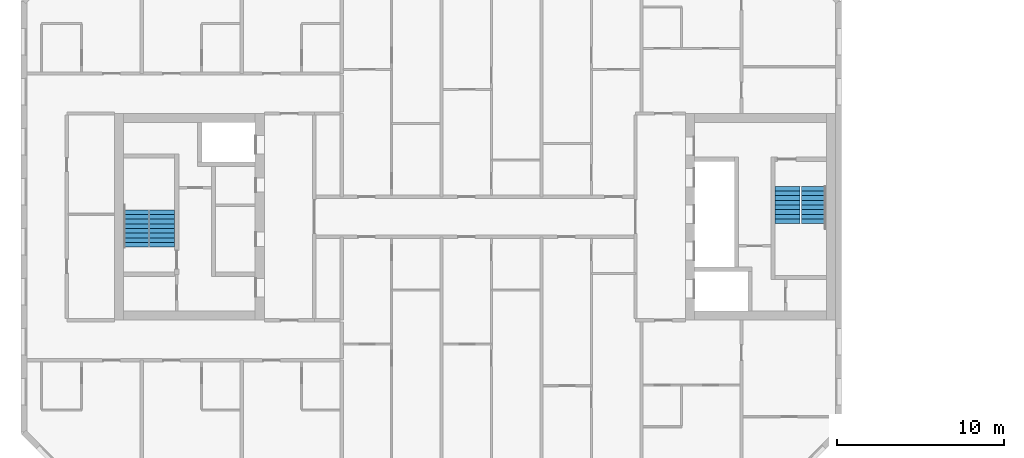
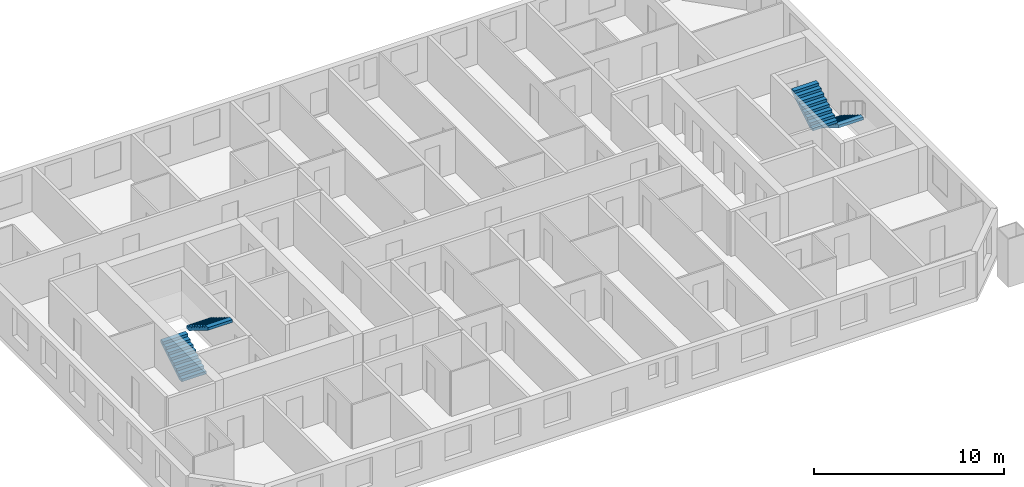
# One storey, part 15 of 16: 4 stair flights, 2 elements without a shape of their own.
"""IFC4 building model written with IfcOpenShell, lengths in metres."""

import ifcopenshell
import ifcopenshell.guid

model = None  # the IFC model being written
_history = None  # IfcOwnerHistory: only IFC2X3 demands one
_inside = {}  # id of a spatial element -> (the spatial element, [elements in it])
_under = {}  # id of a project, library or spatial element -> (it, [spatial elements below it])
_declared = {}  # id of a project -> (the project, [libraries it declares])
_typed = {}  # id of a type object -> (the type object, [elements of that type])
_made_of = {}  # id of a material, layer set ... -> (it, [elements and type objects made of it])


def new_model(schema):
    """Start an empty IFC model of exactly this schema.

    Asked for "IFC4X3", IfcOpenShell would pick the latest addendum, in which some entities
    have other attributes; the version numbers below select the first issue.
    IFC2X3 requires an IfcOwnerHistory on every rooted entity: one is made here for all.
    """
    global model, _history
    if schema == "IFC4X3":
        model = ifcopenshell.file(schema_version=(4, 3, 0, 0))
    else:
        model = ifcopenshell.file(schema=schema)
    _inside.clear()
    _under.clear()
    _declared.clear()
    _typed.clear()
    _made_of.clear()
    _history = None
    if model.schema == "IFC2X3":
        org = make("IfcOrganization", Name="unknown")
        user = make(
            "IfcPersonAndOrganization",
            ThePerson=make("IfcPerson", FamilyName="unknown"),
            TheOrganization=org,
        )
        app = make(
            "IfcApplication",
            ApplicationDeveloper=org,
            Version="unknown",
            ApplicationFullName="unknown",
            ApplicationIdentifier="unknown",
        )
        _history = make(
            "IfcOwnerHistory",
            OwningUser=user,
            OwningApplication=app,
            ChangeAction="ADDED",
            CreationDate=0,
        )
    return model


def make(cls, **values):
    """One entity of the class cls with the attributes given. An attribute that is None is left unset."""
    return model.create_entity(
        cls, **{name: value for name, value in values.items() if value is not None}
    )


def rooted(cls, **values):
    """An entity with a GlobalId (a new one), such as an element, a storey or a relation."""
    return make(cls, GlobalId=ifcopenshell.guid.new(), OwnerHistory=_history, **values)


def si_unit(unit_type, name, prefix=None):
    """IfcSIUnit, for example si_unit("LENGTHUNIT", "METRE", prefix="MILLI")."""
    return make("IfcSIUnit", UnitType=unit_type, Prefix=prefix, Name=name)


def assignment(units):
    """IfcUnitAssignment: the units of a project."""
    return None if units is None else make("IfcUnitAssignment", Units=units)


def point(xyz):
    """IfcCartesianPoint."""
    return None if xyz is None else make("IfcCartesianPoint", Coordinates=xyz)


def direction(xyz):
    """IfcDirection."""
    return None if xyz is None else make("IfcDirection", DirectionRatios=xyz)


def frame(location, z_axis=None, x_axis=None):
    """IfcAxis2Placement3D, a coordinate frame: its origin and axes. An axis left out is left unset."""
    return make(
        "IfcAxis2Placement3D",
        Location=point(location),
        Axis=direction(z_axis),
        RefDirection=direction(x_axis),
    )


def origin():
    """The frame at (0, 0, 0) with its axes left unset."""
    return frame((0.0, 0.0, 0.0))


def place(relative_to, where):
    """IfcLocalPlacement: puts the frame where relative to a parent placement (None: the world)."""
    return make(
        "IfcLocalPlacement", PlacementRelTo=relative_to, RelativePlacement=where
    )


def context(
    kind, dimensions, precision=None, world=None, true_north=None, identifier=None
):
    """IfcGeometricRepresentationContext, for example the 3D "Model" context."""
    return make(
        "IfcGeometricRepresentationContext",
        ContextIdentifier=identifier,
        ContextType=kind,
        CoordinateSpaceDimension=dimensions,
        Precision=precision,
        WorldCoordinateSystem=world,
        TrueNorth=true_north,
    )


def subcontext(parent, identifier, kind, view, scale=None):
    """IfcGeometricRepresentationSubContext, for example "Body" below "Model"."""
    return make(
        "IfcGeometricRepresentationSubContext",
        ContextIdentifier=identifier,
        ContextType=kind,
        ParentContext=parent,
        TargetScale=scale,
        TargetView=view,
    )


def project(units=None, contexts=None):
    """IfcProject with its units and contexts."""
    return rooted(
        "IfcProject",
        Name="project",
        RepresentationContexts=contexts,
        UnitsInContext=assignment(units),
    )


def spatial(cls, under=None, at=None, **own):
    """A site, building, storey or space (cls), placed at a placement, below another one or the project."""
    s = rooted(cls, ObjectPlacement=at, **own)
    if under is not None:
        _under.setdefault(under.id(), (under, []))[1].append(s)
    return s


def faces_of(points, faces, orient=None, outer=None):
    """IfcFace entities. A face is a list of loops; a loop is a list of indices into points, from 0.

    orient and outer hold one flag for each loop. By default every Orientation is true, the
    first loop of a face is its IfcFaceOuterBound and the others are IfcFaceBound.
    """
    made = []
    for i, loops in enumerate(faces):
        bounds = []
        for j, loop in enumerate(loops):
            is_outer = j == 0 if outer is None else outer[i][j]
            bounds.append(
                make(
                    "IfcFaceOuterBound" if is_outer else "IfcFaceBound",
                    Bound=make("IfcPolyLoop", Polygon=[points[k] for k in loop]),
                    Orientation=True if orient is None else orient[i][j],
                )
            )
        made.append(make("IfcFace", Bounds=bounds))
    return made


def faceted_brep(points, faces, orient=None, outer=None, voids=None):
    """IfcFacetedBrep: a solid bounded by flat faces; with voids (closed shells), ...WithVoids."""
    shared = [point(p) for p in points]
    hull = make("IfcClosedShell", CfsFaces=faces_of(shared, faces, orient, outer))
    if voids is None:
        return make("IfcFacetedBrep", Outer=hull)
    return make(
        "IfcFacetedBrepWithVoids",
        Outer=hull,
        Voids=[
            make(cls, CfsFaces=faces_of(shared, fs, o, b)) for cls, fs, o, b in voids
        ],
    )


def shape(context_of_items, identifier, shape_type, items):
    """IfcShapeRepresentation: the items that make up one representation, for example the "Body"."""
    return make(
        "IfcShapeRepresentation",
        ContextOfItems=context_of_items,
        RepresentationIdentifier=identifier,
        RepresentationType=shape_type,
        Items=items,
    )


def material(Name=None, Category=None):
    """IfcMaterial."""
    return make("IfcMaterial", Name=Name, Category=Category)


def made_of(thing, what):
    """Note that an element or type object is made of a material, layer set ...; save() writes the relation."""
    if what is not None:
        _made_of.setdefault(what.id(), (what, []))[1].append(thing)
    return thing


def type_object(cls, material=None, **own):
    """A type object (cls), such as IfcWallType, which elements share."""
    return made_of(rooted(cls, **own), material)


def element(
    cls,
    number,
    at=None,
    inside=None,
    cuts=None,
    type_object=None,
    material=None,
    context=None,
    identifier="Body",
    shape_type=None,
    held_by="IfcProductDefinitionShape",
    body=None,
    shapes=None,
    **own,
):
    """One element of the class cls, such as IfcWall. Its Tag is "e" and its number.

    at: its placement. inside: the storey or other place that contains it. cuts: it is an
    opening in that element (IfcRelVoidsElement). A single representation is given by context,
    identifier, shape_type and body (its items); several are given by shapes. held_by: the class
    of the entity that holds the representations. save() writes the other relations.
    """
    e = rooted(cls, Tag="e%d" % number, ObjectPlacement=at, **own)
    if body is not None:
        shapes = [shape(context, identifier, shape_type, body)]
    if shapes is not None:
        e.Representation = make(held_by, Representations=shapes)
    if inside is not None:
        _inside.setdefault(inside.id(), (inside, []))[1].append(e)
    if cuts is not None:
        rooted(
            "IfcRelVoidsElement", RelatingBuildingElement=cuts, RelatedOpeningElement=e
        )
    if type_object is not None:
        _typed.setdefault(type_object.id(), (type_object, []))[1].append(e)
    return made_of(e, material)


def aggregate(whole, parts):
    """IfcRelAggregates: a whole, such as a stair, and the parts it consists of."""
    return rooted("IfcRelAggregates", RelatingObject=whole, RelatedObjects=parts)


def save(model, path):
    """Write the relations noted so far, then the file.

    IfcRelAggregates (storeys below a building ...), IfcRelContainedInSpatialStructure (elements
    in a storey), IfcRelDefinesByType, IfcRelAssociatesMaterial and IfcRelDeclares: one each for
    every whole, place, type object, material and project.
    """
    for whole, parts in _under.values():
        aggregate(whole, parts)
    for where, things in _inside.values():
        rooted(
            "IfcRelContainedInSpatialStructure",
            RelatedElements=things,
            RelatingStructure=where,
        )
    for kind, things in _typed.values():
        rooted("IfcRelDefinesByType", RelatedObjects=things, RelatingType=kind)
    for what, things in _made_of.values():
        rooted("IfcRelAssociatesMaterial", RelatedObjects=things, RelatingMaterial=what)
    for by, libraries in _declared.values():
        rooted("IfcRelDeclares", RelatingContext=by, RelatedDefinitions=libraries)
    model.write(path)


model = new_model("IFC4")

# Units and contexts
model_context = context("Model", 3, precision=1e-05, world=origin(), true_north=direction((0.0, 1.0)))
body_context = subcontext(model_context, "Body", "Model", "MODEL_VIEW")
ifc_project = project(units=[si_unit("LENGTHUNIT", "METRE"), si_unit("AREAUNIT", "SQUARE_METRE"), si_unit("VOLUMEUNIT", "CUBIC_METRE"), si_unit("PLANEANGLEUNIT", "RADIAN"), si_unit("MASSUNIT", "GRAM", prefix="KILO")], contexts=[model_context])

# Site, building, storey
site_placement = place(None, origin())
site = spatial("IfcSite", under=ifc_project, at=site_placement, CompositionType="ELEMENT")
building_placement = place(site_placement, origin())
building = spatial("IfcBuilding", under=site, at=building_placement, Name="Tuart Gate Housing", CompositionType="ELEMENT")
storey_placement = place(building_placement, frame((0.0, 0.0, 139.199951171875)))
storey = spatial("IfcBuildingStorey", under=building, at=storey_placement, Name="L39", CompositionType="ELEMENT", Elevation=139.199951171875)

# Stair, stair flights
ifc_material_1 = material(Name="Concrete C40", Category="concrete")
stair_type = type_object("IfcStairType", Name="Core stair 1500", PredefinedType="HALF_TURN_STAIR", material=ifc_material_1)
stair_1_placement = place(storey_placement, origin())
stair_1 = element("IfcStair", 1, at=stair_1_placement, inside=storey, type_object=stair_type, Name="Stair SA1", PredefinedType="HALF_TURN_STAIR")
ifc_material_2 = material(Name="Concrete C40", Category="concrete")
stair_flight_type = type_object("IfcStairFlightType", Name="Stair flight 1500, 9 risers 172 x 280", PredefinedType="STRAIGHT", material=ifc_material_2)
stair_flight_1_placement = place(storey_placement, frame((74.340087890625, 71.824951171875, 0.0), z_axis=(0.0, 0.0, 1.0), x_axis=(0.0, -1.0, 0.0)))
stair_flight_1 = element("IfcStairFlight", 2, at=stair_flight_1_placement, type_object=stair_flight_type, Name="SA1 flight 1", NumberOfRisers=9, NumberOfTreads=8, PredefinedType="STRAIGHT", RiserHeight=0.172222222, TreadLength=0.28, context=body_context, shape_type="Brep", body=[
    faceted_brep([(0.0, 0.75, 0.0), (0.0, 0.75, 0.172119140625), (0.280029296875, 0.75, 0.172119140625), (0.280029296875, 0.75, 0.344482421875), (0.56005859375, 0.75, 0.344482421875), (0.56005859375, 0.75, 0.5166015625), (0.840087890625, 0.75, 0.5166015625), (0.840087890625, 0.75, 0.68896484375), (1.1201171875, 0.75, 0.68896484375), (1.1201171875, 0.75, 0.861083984375), (1.39990234375, 0.75, 0.861083984375), (1.39990234375, 0.75, 1.033447265625), (1.679931640625, 0.75, 1.033447265625), (1.679931640625, 0.75, 1.20556640625), (1.9599609375, 0.75, 1.20556640625), (1.9599609375, 0.75, 1.377685546875), (2.239990234375, 0.75, 1.377685546875), (2.239990234375, 0.75, 1.201904296875), (0.2861328125, 0.75, 0.0), (0.2861328125, -0.75, 0.0), (2.239990234375, -0.75, 1.201904296875), (2.239990234375, -0.75, 1.377685546875), (1.9599609375, -0.75, 1.377685546875), (1.9599609375, -0.75, 1.20556640625), (1.679931640625, -0.75, 1.20556640625), (1.679931640625, -0.75, 1.033447265625), (1.39990234375, -0.75, 1.033447265625), (1.39990234375, -0.75, 0.861083984375), (1.1201171875, -0.75, 0.861083984375), (1.1201171875, -0.75, 0.68896484375), (0.840087890625, -0.75, 0.68896484375), (0.840087890625, -0.75, 0.5166015625), (0.56005859375, -0.75, 0.5166015625), (0.56005859375, -0.75, 0.344482421875), (0.280029296875, -0.75, 0.344482421875), (0.280029296875, -0.75, 0.172119140625), (0.0, -0.75, 0.172119140625), (0.0, -0.75, 0.0), (2.239990234375, 0.0, 1.201904296875), (0.2861328125, 0.0, 0.0), (2.239990234375, 0.0, 1.377685546875), (1.9599609375, 0.0, 1.377685546875), (1.9599609375, 0.0, 1.20556640625), (1.679931640625, 0.0, 1.20556640625), (1.679931640625, 0.0, 1.033447265625), (1.39990234375, 0.0, 1.033447265625), (1.39990234375, 0.0, 0.861083984375), (1.1201171875, 0.0, 0.861083984375), (1.1201171875, 0.0, 0.68896484375), (0.840087890625, 0.0, 0.68896484375), (0.840087890625, 0.0, 0.5166015625), (0.56005859375, 0.0, 0.5166015625), (0.56005859375, 0.0, 0.344482421875), (0.280029296875, 0.0, 0.344482421875), (0.280029296875, 0.0, 0.172119140625), (0.0, 0.0, 0.172119140625), (0.0, 0.0, 0.0)], [[[0, 1, 2, 3, 4, 5, 6, 7, 8, 9, 10, 11, 12, 13, 14, 15, 16, 17, 18]], [[19, 20, 21, 22, 23, 24, 25, 26, 27, 28, 29, 30, 31, 32, 33, 34, 35, 36, 37]], [[18, 17, 38, 39]], [[39, 38, 20, 19]], [[17, 16, 40, 38]], [[38, 40, 21, 20]], [[16, 15, 41, 40]], [[40, 41, 22, 21]], [[15, 14, 42, 41]], [[41, 42, 23, 22]], [[14, 13, 43, 42]], [[42, 43, 24, 23]], [[13, 12, 44, 43]], [[43, 44, 25, 24]], [[12, 11, 45, 44]], [[44, 45, 26, 25]], [[11, 10, 46, 45]], [[45, 46, 27, 26]], [[10, 9, 47, 46]], [[46, 47, 28, 27]], [[9, 8, 48, 47]], [[47, 48, 29, 28]], [[8, 7, 49, 48]], [[48, 49, 30, 29]], [[7, 6, 50, 49]], [[49, 50, 31, 30]], [[6, 5, 51, 50]], [[50, 51, 32, 31]], [[5, 4, 52, 51]], [[51, 52, 33, 32]], [[4, 3, 53, 52]], [[52, 53, 34, 33]], [[3, 2, 54, 53]], [[53, 54, 35, 34]], [[2, 1, 55, 54]], [[54, 55, 36, 35]], [[1, 0, 56, 55]], [[55, 56, 37, 36]], [[0, 18, 39, 56]], [[56, 39, 19, 37]]]),
])
stair_flight_2_placement = place(storey_placement, frame((72.764892578125, 69.5849609375, 1.550048828125), z_axis=(0.0, 0.0, 1.0), x_axis=(0.0, 1.0, 0.0)))
stair_flight_2 = element("IfcStairFlight", 3, at=stair_flight_2_placement, type_object=stair_flight_type, Name="SA1 flight 2", NumberOfRisers=9, NumberOfTreads=8, PredefinedType="STRAIGHT", RiserHeight=0.172222222, TreadLength=0.28, context=body_context, shape_type="Brep", body=[
    faceted_brep([(0.0, 0.75, 0.0), (0.0, 0.75, 0.172119140625), (0.280029296875, 0.75, 0.172119140625), (0.280029296875, 0.75, 0.344482421875), (0.56005859375, 0.75, 0.344482421875), (0.56005859375, 0.75, 0.5166015625), (0.840087890625, 0.75, 0.5166015625), (0.840087890625, 0.75, 0.68896484375), (1.1201171875, 0.75, 0.68896484375), (1.1201171875, 0.75, 0.861083984375), (1.39990234375, 0.75, 0.861083984375), (1.39990234375, 0.75, 1.033447265625), (1.679931640625, 0.75, 1.033447265625), (1.679931640625, 0.75, 1.20556640625), (1.9599609375, 0.75, 1.20556640625), (1.9599609375, 0.75, 1.377685546875), (2.239990234375, 0.75, 1.377685546875), (2.239990234375, 0.75, 1.201904296875), (0.2861328125, 0.75, 0.0), (0.2861328125, -0.75, 0.0), (2.239990234375, -0.75, 1.201904296875), (2.239990234375, -0.75, 1.377685546875), (1.9599609375, -0.75, 1.377685546875), (1.9599609375, -0.75, 1.20556640625), (1.679931640625, -0.75, 1.20556640625), (1.679931640625, -0.75, 1.033447265625), (1.39990234375, -0.75, 1.033447265625), (1.39990234375, -0.75, 0.861083984375), (1.1201171875, -0.75, 0.861083984375), (1.1201171875, -0.75, 0.68896484375), (0.840087890625, -0.75, 0.68896484375), (0.840087890625, -0.75, 0.5166015625), (0.56005859375, -0.75, 0.5166015625), (0.56005859375, -0.75, 0.344482421875), (0.280029296875, -0.75, 0.344482421875), (0.280029296875, -0.75, 0.172119140625), (0.0, -0.75, 0.172119140625), (0.0, -0.75, 0.0), (2.239990234375, 0.0, 1.201904296875), (0.2861328125, 0.0, 0.0), (2.239990234375, 0.0, 1.377685546875), (1.9599609375, 0.0, 1.377685546875), (1.9599609375, 0.0, 1.20556640625), (1.679931640625, 0.0, 1.20556640625), (1.679931640625, 0.0, 1.033447265625), (1.39990234375, 0.0, 1.033447265625), (1.39990234375, 0.0, 0.861083984375), (1.1201171875, 0.0, 0.861083984375), (1.1201171875, 0.0, 0.68896484375), (0.840087890625, 0.0, 0.68896484375), (0.840087890625, 0.0, 0.5166015625), (0.56005859375, 0.0, 0.5166015625), (0.56005859375, 0.0, 0.344482421875), (0.280029296875, 0.0, 0.344482421875), (0.280029296875, 0.0, 0.172119140625), (0.0, 0.0, 0.172119140625), (0.0, 0.0, 0.0)], [[[0, 1, 2, 3, 4, 5, 6, 7, 8, 9, 10, 11, 12, 13, 14, 15, 16, 17, 18]], [[19, 20, 21, 22, 23, 24, 25, 26, 27, 28, 29, 30, 31, 32, 33, 34, 35, 36, 37]], [[18, 17, 38, 39]], [[39, 38, 20, 19]], [[17, 16, 40, 38]], [[38, 40, 21, 20]], [[16, 15, 41, 40]], [[40, 41, 22, 21]], [[15, 14, 42, 41]], [[41, 42, 23, 22]], [[14, 13, 43, 42]], [[42, 43, 24, 23]], [[13, 12, 44, 43]], [[43, 44, 25, 24]], [[12, 11, 45, 44]], [[44, 45, 26, 25]], [[11, 10, 46, 45]], [[45, 46, 27, 26]], [[10, 9, 47, 46]], [[46, 47, 28, 27]], [[9, 8, 48, 47]], [[47, 48, 29, 28]], [[8, 7, 49, 48]], [[48, 49, 30, 29]], [[7, 6, 50, 49]], [[49, 50, 31, 30]], [[6, 5, 51, 50]], [[50, 51, 32, 31]], [[5, 4, 52, 51]], [[51, 52, 33, 32]], [[4, 3, 53, 52]], [[52, 53, 34, 33]], [[3, 2, 54, 53]], [[53, 54, 35, 34]], [[2, 1, 55, 54]], [[54, 55, 36, 35]], [[1, 0, 56, 55]], [[55, 56, 37, 36]], [[0, 18, 39, 56]], [[56, 39, 19, 37]]]),
])
aggregate(stair_1, [stair_flight_1, stair_flight_2])

stair_2_placement = place(storey_placement, origin())
stair_2 = element("IfcStair", 4, at=stair_2_placement, inside=storey, type_object=stair_type, Name="Stair SA2", PredefinedType="HALF_TURN_STAIR")
stair_flight_3_placement = place(storey_placement, frame((33.659912109375, 68.175048828125, 0.0), z_axis=(0.0, 0.0, 1.0), x_axis=(0.0, 1.0, 0.0)))
stair_flight_3 = element("IfcStairFlight", 5, at=stair_flight_3_placement, type_object=stair_flight_type, Name="SA2 flight 1", NumberOfRisers=9, NumberOfTreads=8, PredefinedType="STRAIGHT", RiserHeight=0.172222222, TreadLength=0.28, context=body_context, shape_type="Brep", body=[
    faceted_brep([(0.0, 0.75, 0.0), (0.0, 0.75, 0.172119140625), (0.280029296875, 0.75, 0.172119140625), (0.280029296875, 0.75, 0.344482421875), (0.56005859375, 0.75, 0.344482421875), (0.56005859375, 0.75, 0.5166015625), (0.840087890625, 0.75, 0.5166015625), (0.840087890625, 0.75, 0.68896484375), (1.1201171875, 0.75, 0.68896484375), (1.1201171875, 0.75, 0.861083984375), (1.39990234375, 0.75, 0.861083984375), (1.39990234375, 0.75, 1.033447265625), (1.679931640625, 0.75, 1.033447265625), (1.679931640625, 0.75, 1.20556640625), (1.9599609375, 0.75, 1.20556640625), (1.9599609375, 0.75, 1.377685546875), (2.239990234375, 0.75, 1.377685546875), (2.239990234375, 0.75, 1.201904296875), (0.2861328125, 0.75, 0.0), (0.2861328125, -0.75, 0.0), (2.239990234375, -0.75, 1.201904296875), (2.239990234375, -0.75, 1.377685546875), (1.9599609375, -0.75, 1.377685546875), (1.9599609375, -0.75, 1.20556640625), (1.679931640625, -0.75, 1.20556640625), (1.679931640625, -0.75, 1.033447265625), (1.39990234375, -0.75, 1.033447265625), (1.39990234375, -0.75, 0.861083984375), (1.1201171875, -0.75, 0.861083984375), (1.1201171875, -0.75, 0.68896484375), (0.840087890625, -0.75, 0.68896484375), (0.840087890625, -0.75, 0.5166015625), (0.56005859375, -0.75, 0.5166015625), (0.56005859375, -0.75, 0.344482421875), (0.280029296875, -0.75, 0.344482421875), (0.280029296875, -0.75, 0.172119140625), (0.0, -0.75, 0.172119140625), (0.0, -0.75, 0.0), (2.239990234375, 0.0, 1.201904296875), (0.2861328125, 0.0, 0.0), (2.239990234375, 0.0, 1.377685546875), (1.9599609375, 0.0, 1.377685546875), (1.9599609375, 0.0, 1.20556640625), (1.679931640625, 0.0, 1.20556640625), (1.679931640625, 0.0, 1.033447265625), (1.39990234375, 0.0, 1.033447265625), (1.39990234375, 0.0, 0.861083984375), (1.1201171875, 0.0, 0.861083984375), (1.1201171875, 0.0, 0.68896484375), (0.840087890625, 0.0, 0.68896484375), (0.840087890625, 0.0, 0.5166015625), (0.56005859375, 0.0, 0.5166015625), (0.56005859375, 0.0, 0.344482421875), (0.280029296875, 0.0, 0.344482421875), (0.280029296875, 0.0, 0.172119140625), (0.0, 0.0, 0.172119140625), (0.0, 0.0, 0.0)], [[[0, 1, 2, 3, 4, 5, 6, 7, 8, 9, 10, 11, 12, 13, 14, 15, 16, 17, 18]], [[19, 20, 21, 22, 23, 24, 25, 26, 27, 28, 29, 30, 31, 32, 33, 34, 35, 36, 37]], [[18, 17, 38, 39]], [[39, 38, 20, 19]], [[17, 16, 40, 38]], [[38, 40, 21, 20]], [[16, 15, 41, 40]], [[40, 41, 22, 21]], [[15, 14, 42, 41]], [[41, 42, 23, 22]], [[14, 13, 43, 42]], [[42, 43, 24, 23]], [[13, 12, 44, 43]], [[43, 44, 25, 24]], [[12, 11, 45, 44]], [[44, 45, 26, 25]], [[11, 10, 46, 45]], [[45, 46, 27, 26]], [[10, 9, 47, 46]], [[46, 47, 28, 27]], [[9, 8, 48, 47]], [[47, 48, 29, 28]], [[8, 7, 49, 48]], [[48, 49, 30, 29]], [[7, 6, 50, 49]], [[49, 50, 31, 30]], [[6, 5, 51, 50]], [[50, 51, 32, 31]], [[5, 4, 52, 51]], [[51, 52, 33, 32]], [[4, 3, 53, 52]], [[52, 53, 34, 33]], [[3, 2, 54, 53]], [[53, 54, 35, 34]], [[2, 1, 55, 54]], [[54, 55, 36, 35]], [[1, 0, 56, 55]], [[55, 56, 37, 36]], [[0, 18, 39, 56]], [[56, 39, 19, 37]]]),
])
stair_flight_4_placement = place(storey_placement, frame((35.235107421875, 70.4150390625, 1.550048828125), z_axis=(0.0, 0.0, 1.0), x_axis=(0.0, -1.0, 0.0)))
stair_flight_4 = element("IfcStairFlight", 6, at=stair_flight_4_placement, type_object=stair_flight_type, Name="SA2 flight 2", NumberOfRisers=9, NumberOfTreads=8, PredefinedType="STRAIGHT", RiserHeight=0.172222222, TreadLength=0.28, context=body_context, shape_type="Brep", body=[
    faceted_brep([(0.0, 0.75, 0.0), (0.0, 0.75, 0.172119140625), (0.280029296875, 0.75, 0.172119140625), (0.280029296875, 0.75, 0.344482421875), (0.56005859375, 0.75, 0.344482421875), (0.56005859375, 0.75, 0.5166015625), (0.840087890625, 0.75, 0.5166015625), (0.840087890625, 0.75, 0.68896484375), (1.1201171875, 0.75, 0.68896484375), (1.1201171875, 0.75, 0.861083984375), (1.39990234375, 0.75, 0.861083984375), (1.39990234375, 0.75, 1.033447265625), (1.679931640625, 0.75, 1.033447265625), (1.679931640625, 0.75, 1.20556640625), (1.9599609375, 0.75, 1.20556640625), (1.9599609375, 0.75, 1.377685546875), (2.239990234375, 0.75, 1.377685546875), (2.239990234375, 0.75, 1.201904296875), (0.2861328125, 0.75, 0.0), (0.2861328125, -0.75, 0.0), (2.239990234375, -0.75, 1.201904296875), (2.239990234375, -0.75, 1.377685546875), (1.9599609375, -0.75, 1.377685546875), (1.9599609375, -0.75, 1.20556640625), (1.679931640625, -0.75, 1.20556640625), (1.679931640625, -0.75, 1.033447265625), (1.39990234375, -0.75, 1.033447265625), (1.39990234375, -0.75, 0.861083984375), (1.1201171875, -0.75, 0.861083984375), (1.1201171875, -0.75, 0.68896484375), (0.840087890625, -0.75, 0.68896484375), (0.840087890625, -0.75, 0.5166015625), (0.56005859375, -0.75, 0.5166015625), (0.56005859375, -0.75, 0.344482421875), (0.280029296875, -0.75, 0.344482421875), (0.280029296875, -0.75, 0.172119140625), (0.0, -0.75, 0.172119140625), (0.0, -0.75, 0.0), (2.239990234375, 0.0, 1.201904296875), (0.2861328125, 0.0, 0.0), (2.239990234375, 0.0, 1.377685546875), (1.9599609375, 0.0, 1.377685546875), (1.9599609375, 0.0, 1.20556640625), (1.679931640625, 0.0, 1.20556640625), (1.679931640625, 0.0, 1.033447265625), (1.39990234375, 0.0, 1.033447265625), (1.39990234375, 0.0, 0.861083984375), (1.1201171875, 0.0, 0.861083984375), (1.1201171875, 0.0, 0.68896484375), (0.840087890625, 0.0, 0.68896484375), (0.840087890625, 0.0, 0.5166015625), (0.56005859375, 0.0, 0.5166015625), (0.56005859375, 0.0, 0.344482421875), (0.280029296875, 0.0, 0.344482421875), (0.280029296875, 0.0, 0.172119140625), (0.0, 0.0, 0.172119140625), (0.0, 0.0, 0.0)], [[[0, 1, 2, 3, 4, 5, 6, 7, 8, 9, 10, 11, 12, 13, 14, 15, 16, 17, 18]], [[19, 20, 21, 22, 23, 24, 25, 26, 27, 28, 29, 30, 31, 32, 33, 34, 35, 36, 37]], [[18, 17, 38, 39]], [[39, 38, 20, 19]], [[17, 16, 40, 38]], [[38, 40, 21, 20]], [[16, 15, 41, 40]], [[40, 41, 22, 21]], [[15, 14, 42, 41]], [[41, 42, 23, 22]], [[14, 13, 43, 42]], [[42, 43, 24, 23]], [[13, 12, 44, 43]], [[43, 44, 25, 24]], [[12, 11, 45, 44]], [[44, 45, 26, 25]], [[11, 10, 46, 45]], [[45, 46, 27, 26]], [[10, 9, 47, 46]], [[46, 47, 28, 27]], [[9, 8, 48, 47]], [[47, 48, 29, 28]], [[8, 7, 49, 48]], [[48, 49, 30, 29]], [[7, 6, 50, 49]], [[49, 50, 31, 30]], [[6, 5, 51, 50]], [[50, 51, 32, 31]], [[5, 4, 52, 51]], [[51, 52, 33, 32]], [[4, 3, 53, 52]], [[52, 53, 34, 33]], [[3, 2, 54, 53]], [[53, 54, 35, 34]], [[2, 1, 55, 54]], [[54, 55, 36, 35]], [[1, 0, 56, 55]], [[55, 56, 37, 36]], [[0, 18, 39, 56]], [[56, 39, 19, 37]]]),
])
aggregate(stair_2, [stair_flight_3, stair_flight_4])

save(model, "model.ifc")
